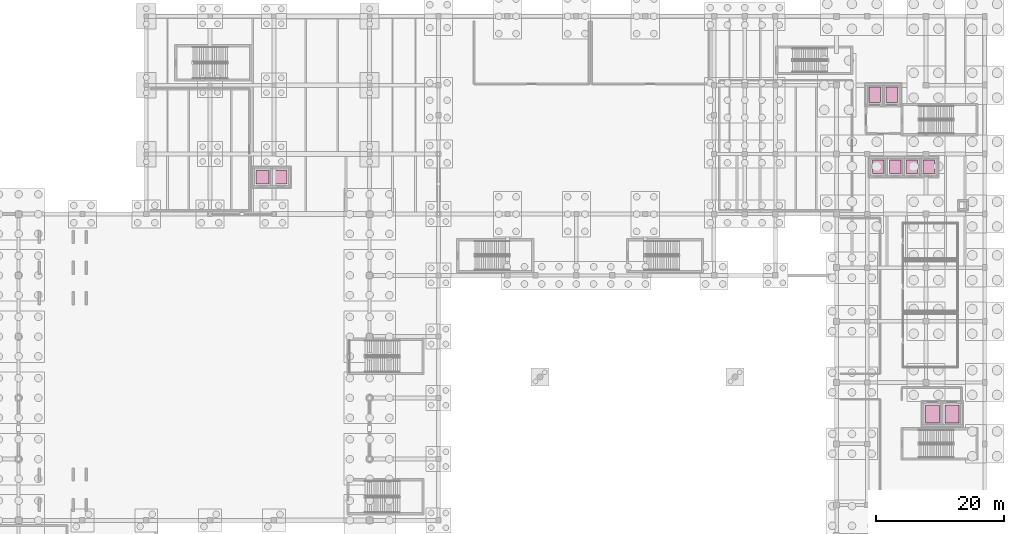
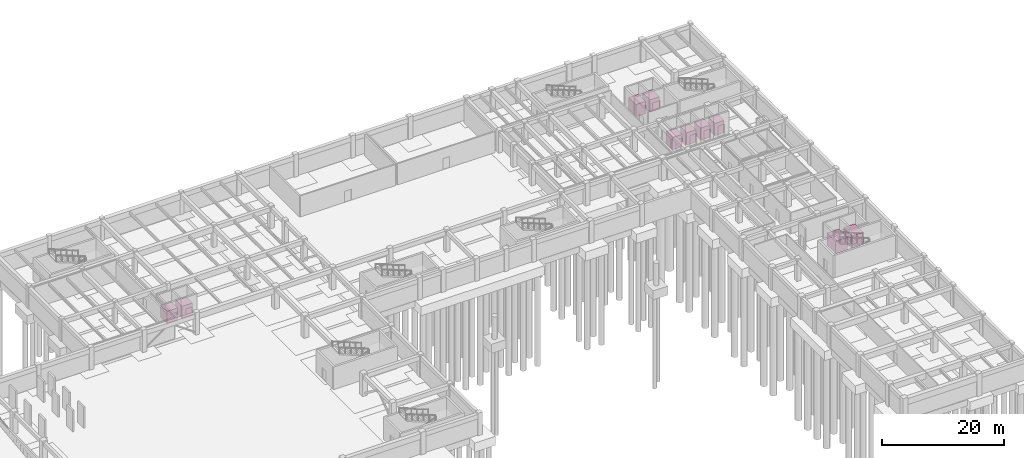
# One storey, part 33 of 33: 10 transport elements.
"""IFC4 building model written with IfcOpenShell, lengths in metres."""

from ifc_helpers import new_model, si_unit, direction, frame, origin, origin_2d, place, context, subcontext, project, spatial, rectangle, extrude, material, type_object, element, save


model = new_model("IFC4")

# Units and contexts
model_context = context("Model", 3, precision=1e-05, world=origin(), true_north=direction((0.0, 1.0)))
body_context = subcontext(model_context, "Body", "Model", "MODEL_VIEW")
ifc_project = project(units=[si_unit("LENGTHUNIT", "METRE"), si_unit("AREAUNIT", "SQUARE_METRE"), si_unit("VOLUMEUNIT", "CUBIC_METRE"), si_unit("PLANEANGLEUNIT", "RADIAN"), si_unit("MASSUNIT", "GRAM", prefix="KILO")], contexts=[model_context])

# Site, building, storey
site_placement = place(None, origin())
site = spatial("IfcSite", under=ifc_project, at=site_placement, CompositionType="ELEMENT")
building_placement = place(site_placement, origin())
building = spatial("IfcBuilding", under=site, at=building_placement, Name="Veldera Park Congress Hotel", CompositionType="ELEMENT")
storey_placement = place(building_placement, frame((0.0, 0.0, -4.5)))
storey = spatial("IfcBuildingStorey", under=building, at=storey_placement, Name="B1", CompositionType="ELEMENT", Elevation=-4.5)

# Transport elements
ifc_material = material(Name="Anodised Aluminium Alloy 6063-T6", Category="aluminium")
transport_element_type_1 = type_object("IfcTransportElementType", Name="LFT-CNG1800", PredefinedType="ELEVATOR", material=ifc_material)
for number, where, z_axis, x_axis, name in (
    (1, (-29.199951171875, 32.800048828125, 0.0498046875), (0.0, 0.0, 1.0), (1.0, 0.0, 0.0), "Elevator CL-01"),
    (2, (-26.35009765625, 32.800048828125, 0.0498046875), (0.0, 0.0, 1.0), (1.0, 0.0, 0.0), "Elevator CL-02"),
):
    element("IfcTransportElement", number, at=place(storey_placement, frame(where, z_axis=z_axis, x_axis=x_axis)), inside=storey, type_object=transport_element_type_1, Name=name, PredefinedType="ELEVATOR", context=body_context, shape_type="SweptSolid", body=[
        extrude(rectangle(XDim=2.0, YDim=2.10009765625, at=origin_2d()), origin(), (0.0, 0.0, 1.0), 2.449951171875),
    ])
transport_element_type_2 = type_object("IfcTransportElementType", Name="LFT-FF2000", PredefinedType="ELEVATOR", material=ifc_material)
for number, where, z_axis, x_axis, name in (
    (3, (66.800048828125, 45.699951171875, 0.0498046875), (0.0, 0.0, 1.0), (1.0, 0.0, 0.0), "Elevator FL-01"),
    (4, (69.449951171875, 45.699951171875, 0.0498046875), (0.0, 0.0, 1.0), (1.0, 0.0, 0.0), "Elevator FL-02"),
):
    element("IfcTransportElement", number, at=place(storey_placement, frame(where, z_axis=z_axis, x_axis=x_axis)), inside=storey, type_object=transport_element_type_2, Name=name, PredefinedType="ELEVATOR", context=body_context, shape_type="SweptSolid", body=[
        extrude(rectangle(XDim=1.800048828125, YDim=2.39990234375, at=origin_2d()), origin(), (0.0, 0.0, 1.0), 2.449951171875),
    ])
transport_element_type_3 = type_object("IfcTransportElementType", Name="LFT-PAX1600", PredefinedType="ELEVATOR", material=ifc_material)
for number, where, z_axis, x_axis, name in (
    (5, (67.300048828125, 34.39990234375, 0.0498046875), (0.0, 0.0, 1.0), (1.0, 0.0, 0.0), "Elevator PL-01"),
    (6, (69.949951171875, 34.39990234375, 0.0498046875), (0.0, 0.0, 1.0), (1.0, 0.0, 0.0), "Elevator PL-02"),
    (7, (72.60009765625, 34.39990234375, 0.0498046875), (0.0, 0.0, 1.0), (1.0, 0.0, 0.0), "Elevator PL-03"),
    (8, (75.25, 34.39990234375, 0.0498046875), (0.0, 0.0, 1.0), (1.0, 0.0, 0.0), "Elevator PL-04"),
):
    element("IfcTransportElement", number, at=place(storey_placement, frame(where, z_axis=z_axis, x_axis=x_axis)), inside=storey, type_object=transport_element_type_3, Name=name, PredefinedType="ELEVATOR", context=body_context, shape_type="SweptSolid", body=[
        extrude(rectangle(XDim=1.800048828125, YDim=2.10009765625, at=origin_2d()), origin(), (0.0, 0.0, 1.0), 2.449951171875),
    ])
transport_element_type_4 = type_object("IfcTransportElementType", Name="LFT-SVC2500", PredefinedType="ELEVATOR", material=ifc_material)
for number, where, z_axis, x_axis, name in (
    (9, (75.800048828125, -4.300048828125, 0.0498046875), (0.0, 0.0, 1.0), (1.0, 0.0, 0.0), "Elevator SL-01"),
    (10, (78.85009765625, -4.300048828125, 0.0498046875), (0.0, 0.0, 1.0), (1.0, 0.0, 0.0), "Elevator SL-02"),
):
    element("IfcTransportElement", number, at=place(storey_placement, frame(where, z_axis=z_axis, x_axis=x_axis)), inside=storey, type_object=transport_element_type_4, Name=name, PredefinedType="ELEVATOR", context=body_context, shape_type="SweptSolid", body=[
        extrude(rectangle(XDim=2.199951171875, YDim=2.800048828125, at=origin_2d()), origin(), (0.0, 0.0, 1.0), 2.449951171875),
    ])

save(model, "model.ifc")
